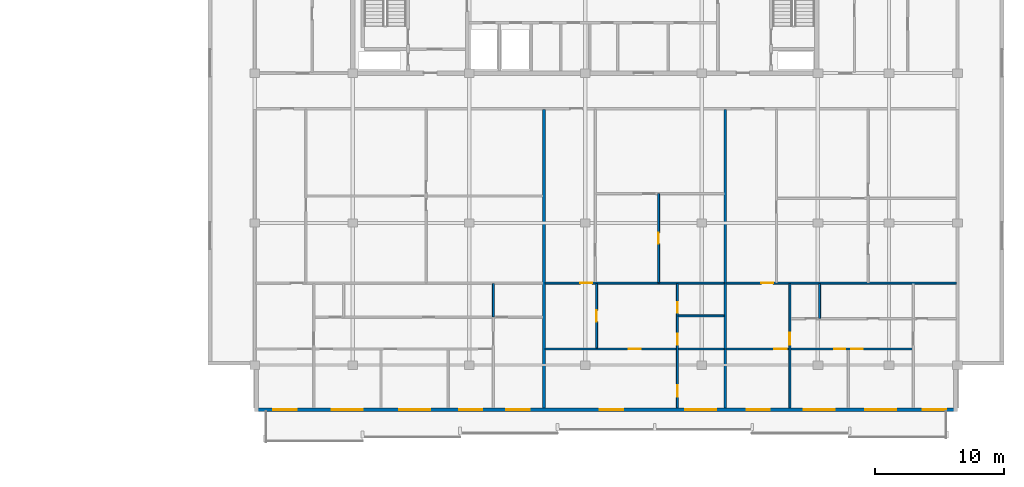
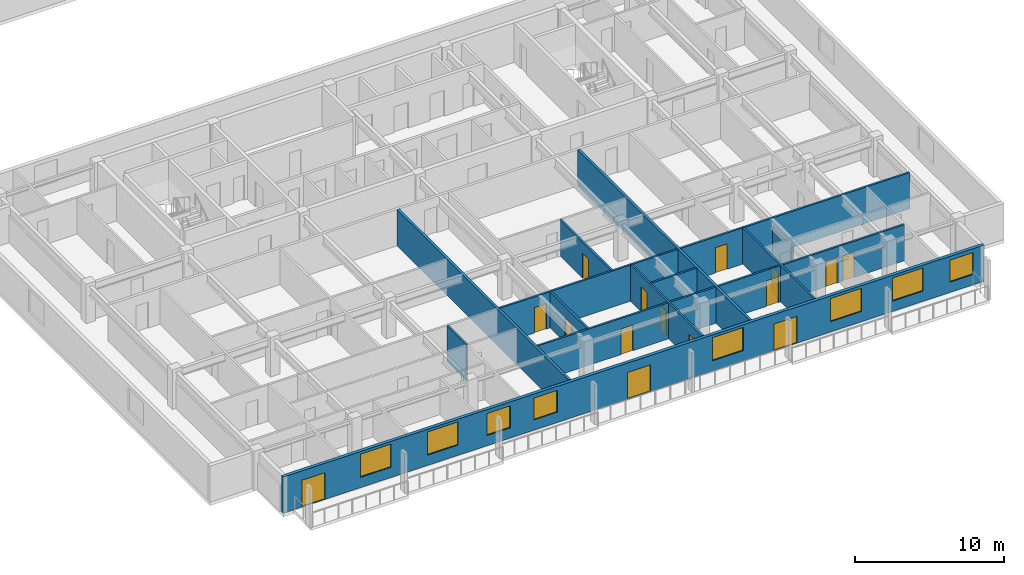
# One storey, part 5 of 22: 15 doors, 14 walls, 8 windows, 23 openings.
"""IFC4 building model written with IfcOpenShell, lengths in metres."""

from ifc_helpers import new_model, si_unit, direction, frame, frame_2d, origin, place, context, subcontext, project, spatial, rectangle, extrude, material, layer, layer_set, type_object, element, fill, save


model = new_model("IFC4")

# Units and contexts
model_context = context("Model", 3, precision=1e-05, world=origin(), true_north=direction((0.0, 1.0)))
body_context = subcontext(model_context, "Body", "Model", "MODEL_VIEW")
ifc_project = project(units=[si_unit("LENGTHUNIT", "METRE"), si_unit("AREAUNIT", "SQUARE_METRE"), si_unit("VOLUMEUNIT", "CUBIC_METRE"), si_unit("PLANEANGLEUNIT", "RADIAN"), si_unit("MASSUNIT", "GRAM", prefix="KILO")], contexts=[model_context])

# Site, building, storey
site_placement = place(None, origin())
site = spatial("IfcSite", under=ifc_project, at=site_placement, CompositionType="ELEMENT")
building_placement = place(site_placement, origin())
building = spatial("IfcBuilding", under=site, at=building_placement, Name="Korimba Cascade Residences", CompositionType="ELEMENT")
storey_placement = place(building_placement, frame((0.0, 0.0, 197.85009765625)))
storey = spatial("IfcBuildingStorey", under=building, at=storey_placement, Name="L57", CompositionType="ELEMENT", Elevation=197.85009765625)

# Wall, openings, doors, windows
ifc_material_1 = material(Name="Precast concrete C40/50", Category="concrete")
ifc_layer_1 = layer(ifc_material_1, 0.25)
ifc_layer_set_1 = layer_set([ifc_layer_1], Name="Precast concrete C40/50")
wall_type_1 = type_object("IfcWallType", Name="EW-LOG-250", PredefinedType="STANDARD", material=ifc_layer_set_1)
wall_1_placement = place(storey_placement, frame((74.5, -7.64990234375, 0.0), z_axis=(0.0, 0.0, 1.0), x_axis=(1.0, 0.0, 0.0)))
wall_1 = element("IfcWall", 1, at=wall_1_placement, inside=storey, type_object=wall_type_1, Name="L57 T2 Perimeter Stone Wall E00", PredefinedType="STANDARD", context=body_context, shape_type="SweptSolid", body=[
    extrude(rectangle(XDim=54.39990234375, YDim=0.25, at=frame_2d((27.199951171875, 0.0))), origin(), (0.0, 0.0, 1.0), 2.969970703125),
])
opening_1_placement = place(wall_1_placement, frame((5.97998046875, 0.0, 0.85009765625)))
opening_1 = element("IfcOpeningElement", 2, at=opening_1_placement, cuts=wall_1, Name="Opening W-01", PredefinedType="OPENING", context=body_context, shape_type="SweptSolid", body=[
    extrude(rectangle(XDim=2.39990234375, YDim=1.89990234375, at=frame_2d((1.199951171875, 0.949951171875))), frame((0.0, 0.135009765625, 0.0), z_axis=(0.0, -1.0, 0.0), x_axis=(1.0, 0.0, 0.0)), (0.0, 0.0, 1.0), 0.27001953125),
])
opening_2_placement = place(wall_1_placement, frame((11.179931640625, 0.0, 0.85009765625)))
opening_2 = element("IfcOpeningElement", 3, at=opening_2_placement, cuts=wall_1, Name="Opening W-01", PredefinedType="OPENING", context=body_context, shape_type="SweptSolid", body=[
    extrude(rectangle(XDim=2.39990234375, YDim=1.89990234375, at=frame_2d((1.199951171875, 0.949951171875))), frame((0.0, 0.135009765625, 0.0), z_axis=(0.0, -1.0, 0.0), x_axis=(1.0, 0.0, 0.0)), (0.0, 0.0, 1.0), 0.27001953125),
])
opening_3_placement = place(wall_1_placement, frame((15.830078125, 0.0, 0.85009765625)))
opening_3 = element("IfcOpeningElement", 4, at=opening_3_placement, cuts=wall_1, Name="Opening W-02", PredefinedType="OPENING", context=body_context, shape_type="SweptSolid", body=[
    extrude(rectangle(XDim=1.800048828125, YDim=1.800048828125, at=frame_2d((0.89990234375, 0.89990234375))), frame((0.0, 0.135009765625, 0.0), z_axis=(0.0, -1.0, 0.0), x_axis=(1.0, 0.0, 0.0)), (0.0, 0.0, 1.0), 0.27001953125),
])
opening_4_placement = place(wall_1_placement, frame((1.449951171875, 0.0, 0.0)))
opening_4 = element("IfcOpeningElement", 5, at=opening_4_placement, cuts=wall_1, Name="Opening D-LG1", PredefinedType="OPENING", context=body_context, shape_type="SweptSolid", body=[
    extrude(rectangle(XDim=1.800048828125, YDim=2.199951171875, at=frame_2d((0.89990234375, 1.10009765625))), frame((0.0, 0.135009765625, 0.0), z_axis=(0.0, -1.0, 0.0), x_axis=(1.0, 0.0, 0.0)), (0.0, 0.0, 1.0), 0.27001953125),
])
opening_5_placement = place(wall_1_placement, frame((19.4794921875, 0.0, 0.85009765625)))
opening_5 = element("IfcOpeningElement", 6, at=opening_5_placement, cuts=wall_1, Name="Opening W-02", PredefinedType="OPENING", context=body_context, shape_type="SweptSolid", body=[
    extrude(rectangle(XDim=1.800048828125, YDim=1.800048828125, at=frame_2d((0.89990234375, 0.89990234375))), frame((0.0, 0.135009765625, 0.0), z_axis=(0.0, -1.0, 0.0), x_axis=(1.0, 0.0, 0.0)), (0.0, 0.0, 1.0), 0.27001953125),
])
opening_6_placement = place(wall_1_placement, frame((26.719482421875, 0.0, 0.0)))
opening_6 = element("IfcOpeningElement", 7, at=opening_6_placement, cuts=wall_1, Name="Opening D-LG1", PredefinedType="OPENING", context=body_context, shape_type="SweptSolid", body=[
    extrude(rectangle(XDim=1.800048828125, YDim=2.199951171875, at=frame_2d((0.89990234375, 1.10009765625))), frame((0.0, 0.135009765625, 0.0), z_axis=(0.0, -1.0, 0.0), x_axis=(1.0, 0.0, 0.0)), (0.0, 0.0, 1.0), 0.27001953125),
])
opening_7_placement = place(wall_1_placement, frame((33.310791015625, 0.0, 0.85009765625)))
opening_7 = element("IfcOpeningElement", 8, at=opening_7_placement, cuts=wall_1, Name="Opening W-01", PredefinedType="OPENING", context=body_context, shape_type="SweptSolid", body=[
    extrude(rectangle(XDim=2.39990234375, YDim=1.89990234375, at=frame_2d((1.199951171875, 0.949951171875))), frame((0.0, 0.135009765625, 0.0), z_axis=(0.0, -1.0, 0.0), x_axis=(1.0, 0.0, 0.0)), (0.0, 0.0, 1.0), 0.27001953125),
])
opening_8_placement = place(wall_1_placement, frame((42.486083984375, 0.0, 0.85009765625)))
opening_8 = element("IfcOpeningElement", 9, at=opening_8_placement, cuts=wall_1, Name="Opening W-01", PredefinedType="OPENING", context=body_context, shape_type="SweptSolid", body=[
    extrude(rectangle(XDim=2.39990234375, YDim=1.89990234375, at=frame_2d((1.199951171875, 0.949951171875))), frame((0.0, 0.135009765625, 0.0), z_axis=(0.0, -1.0, 0.0), x_axis=(1.0, 0.0, 0.0)), (0.0, 0.0, 1.0), 0.27001953125),
])
opening_9_placement = place(wall_1_placement, frame((47.265380859375, 0.0, 0.85009765625)))
opening_9 = element("IfcOpeningElement", 10, at=opening_9_placement, cuts=wall_1, Name="Opening W-01", PredefinedType="OPENING", context=body_context, shape_type="SweptSolid", body=[
    extrude(rectangle(XDim=2.39990234375, YDim=1.89990234375, at=frame_2d((1.199951171875, 0.949951171875))), frame((0.0, 0.135009765625, 0.0), z_axis=(0.0, -1.0, 0.0), x_axis=(1.0, 0.0, 0.0)), (0.0, 0.0, 1.0), 0.27001953125),
])
opening_10_placement = place(wall_1_placement, frame((38.081298828125, 0.0, 0.0)))
opening_10 = element("IfcOpeningElement", 11, at=opening_10_placement, cuts=wall_1, Name="Opening D-LG1", PredefinedType="OPENING", context=body_context, shape_type="SweptSolid", body=[
    extrude(rectangle(XDim=1.800048828125, YDim=2.199951171875, at=frame_2d((0.89990234375, 1.10009765625))), frame((0.0, 0.135009765625, 0.0), z_axis=(0.0, -1.0, 0.0), x_axis=(1.0, 0.0, 0.0)), (0.0, 0.0, 1.0), 0.27001953125),
])
opening_11_placement = place(wall_1_placement, frame((51.72998046875, 0.0, 0.85009765625)))
opening_11 = element("IfcOpeningElement", 12, at=opening_11_placement, cuts=wall_1, Name="Opening W-02", PredefinedType="OPENING", context=body_context, shape_type="SweptSolid", body=[
    extrude(rectangle(XDim=1.800048828125, YDim=1.800048828125, at=frame_2d((0.89990234375, 0.89990234375))), frame((0.0, 0.135009765625, 0.0), z_axis=(0.0, -1.0, 0.0), x_axis=(1.0, 0.0, 0.0)), (0.0, 0.0, 1.0), 0.27001953125),
])
ifc_material_2 = material(Name="Glazed Aluminium Loggia Sliding Door", Category="aluminium")
door_type_1 = type_object("IfcDoorType", Name="DR-EXT-LOG", OperationType="NOTDEFINED", PredefinedType="DOOR", material=ifc_material_2)
door_1_placement = place(opening_4_placement, origin())
door_1 = element("IfcDoor", 13, at=door_1_placement, inside=storey, type_object=door_type_1, Name="L57 T2 Loggia Sliding Door 6", OperationType="SLIDING_TO_RIGHT", OverallHeight=2.199951171875, OverallWidth=1.800048828125, PredefinedType="DOOR", context=body_context, shape_type="SweptSolid", body=[
    extrude(rectangle(XDim=1.800048828125, YDim=2.199951171875, at=frame_2d((0.89990234375, 1.10009765625))), frame((0.0, 0.02490234375, 0.0), z_axis=(0.0, -1.0, 0.0), x_axis=(1.0, 0.0, 0.0)), (0.0, 0.0, 1.0), 0.050048828125),
])
fill(opening_4, door_1)
door_2_placement = place(opening_6_placement, origin())
door_2 = element("IfcDoor", 14, at=door_2_placement, inside=storey, type_object=door_type_1, Name="L57 T2 Loggia Sliding Door 8", OperationType="SLIDING_TO_RIGHT", OverallHeight=2.199951171875, OverallWidth=1.800048828125, PredefinedType="DOOR", context=body_context, shape_type="SweptSolid", body=[
    extrude(rectangle(XDim=1.800048828125, YDim=2.199951171875, at=frame_2d((0.89990234375, 1.10009765625))), frame((0.0, 0.02490234375, 0.0), z_axis=(0.0, -1.0, 0.0), x_axis=(1.0, 0.0, 0.0)), (0.0, 0.0, 1.0), 0.050048828125),
])
fill(opening_6, door_2)
door_3_placement = place(opening_10_placement, origin())
door_3 = element("IfcDoor", 15, at=door_3_placement, inside=storey, type_object=door_type_1, Name="L57 T2 Loggia Sliding Door 12", OperationType="SLIDING_TO_RIGHT", OverallHeight=2.199951171875, OverallWidth=1.800048828125, PredefinedType="DOOR", context=body_context, shape_type="SweptSolid", body=[
    extrude(rectangle(XDim=1.800048828125, YDim=2.199951171875, at=frame_2d((0.89990234375, 1.10009765625))), frame((0.0, 0.02490234375, 0.0), z_axis=(0.0, -1.0, 0.0), x_axis=(1.0, 0.0, 0.0)), (0.0, 0.0, 1.0), 0.050048828125),
])
fill(opening_10, door_3)
ifc_material_3 = material(Name="Double-Glazed Aluminium Window", Category="aluminium")
window_type_1 = type_object("IfcWindowType", Name="WIN-BED-1800", PartitioningType="SINGLE_PANEL", PredefinedType="WINDOW", material=ifc_material_3)
window_1_placement = place(opening_3_placement, origin())
window_1 = element("IfcWindow", 16, at=window_1_placement, inside=storey, type_object=window_type_1, Name="L57 T2 South Facade Window 5", OverallHeight=1.800048828125, OverallWidth=1.800048828125, PartitioningType="SINGLE_PANEL", PredefinedType="WINDOW", context=body_context, shape_type="SweptSolid", body=[
    extrude(rectangle(XDim=1.800048828125, YDim=1.800048828125, at=frame_2d((0.89990234375, 0.89990234375))), frame((0.0, 0.030029296875, 0.0), z_axis=(0.0, -1.0, 0.0), x_axis=(1.0, 0.0, 0.0)), (0.0, 0.0, 1.0), 0.06005859375),
])
fill(opening_3, window_1)
window_2_placement = place(opening_5_placement, origin())
window_2 = element("IfcWindow", 17, at=window_2_placement, inside=storey, type_object=window_type_1, Name="L57 T2 South Facade Window 7", OverallHeight=1.800048828125, OverallWidth=1.800048828125, PartitioningType="SINGLE_PANEL", PredefinedType="WINDOW", context=body_context, shape_type="SweptSolid", body=[
    extrude(rectangle(XDim=1.800048828125, YDim=1.800048828125, at=frame_2d((0.89990234375, 0.89990234375))), frame((0.0, 0.030029296875, 0.0), z_axis=(0.0, -1.0, 0.0), x_axis=(1.0, 0.0, 0.0)), (0.0, 0.0, 1.0), 0.06005859375),
])
fill(opening_5, window_2)
window_3_placement = place(opening_11_placement, origin())
window_3 = element("IfcWindow", 18, at=window_3_placement, inside=storey, type_object=window_type_1, Name="L57 T2 South Facade Window 13", OverallHeight=1.800048828125, OverallWidth=1.800048828125, PartitioningType="SINGLE_PANEL", PredefinedType="WINDOW", context=body_context, shape_type="SweptSolid", body=[
    extrude(rectangle(XDim=1.800048828125, YDim=1.800048828125, at=frame_2d((0.89990234375, 0.89990234375))), frame((0.0, 0.030029296875, 0.0), z_axis=(0.0, -1.0, 0.0), x_axis=(1.0, 0.0, 0.0)), (0.0, 0.0, 1.0), 0.06005859375),
])
fill(opening_11, window_3)
window_type_2 = type_object("IfcWindowType", Name="WIN-RES-2400", PartitioningType="DOUBLE_PANEL_VERTICAL", PredefinedType="WINDOW", material=ifc_material_3)
window_4_placement = place(opening_1_placement, origin())
window_4 = element("IfcWindow", 19, at=window_4_placement, inside=storey, type_object=window_type_2, Name="L57 T2 South Facade Window 3", OverallHeight=1.89990234375, OverallWidth=2.39990234375, PartitioningType="DOUBLE_PANEL_VERTICAL", PredefinedType="WINDOW", context=body_context, shape_type="SweptSolid", body=[
    extrude(rectangle(XDim=2.39990234375, YDim=1.89990234375, at=frame_2d((1.199951171875, 0.949951171875))), frame((0.0, 0.030029296875, 0.0), z_axis=(0.0, -1.0, 0.0), x_axis=(1.0, 0.0, 0.0)), (0.0, 0.0, 1.0), 0.06005859375),
])
fill(opening_1, window_4)
window_5_placement = place(opening_2_placement, origin())
window_5 = element("IfcWindow", 20, at=window_5_placement, inside=storey, type_object=window_type_2, Name="L57 T2 South Facade Window 4", OverallHeight=1.89990234375, OverallWidth=2.39990234375, PartitioningType="DOUBLE_PANEL_VERTICAL", PredefinedType="WINDOW", context=body_context, shape_type="SweptSolid", body=[
    extrude(rectangle(XDim=2.39990234375, YDim=1.89990234375, at=frame_2d((1.199951171875, 0.949951171875))), frame((0.0, 0.030029296875, 0.0), z_axis=(0.0, -1.0, 0.0), x_axis=(1.0, 0.0, 0.0)), (0.0, 0.0, 1.0), 0.06005859375),
])
fill(opening_2, window_5)
window_6_placement = place(opening_7_placement, origin())
window_6 = element("IfcWindow", 21, at=window_6_placement, inside=storey, type_object=window_type_2, Name="L57 T2 South Facade Window 9", OverallHeight=1.89990234375, OverallWidth=2.39990234375, PartitioningType="DOUBLE_PANEL_VERTICAL", PredefinedType="WINDOW", context=body_context, shape_type="SweptSolid", body=[
    extrude(rectangle(XDim=2.39990234375, YDim=1.89990234375, at=frame_2d((1.199951171875, 0.949951171875))), frame((0.0, 0.030029296875, 0.0), z_axis=(0.0, -1.0, 0.0), x_axis=(1.0, 0.0, 0.0)), (0.0, 0.0, 1.0), 0.06005859375),
])
fill(opening_7, window_6)
window_7_placement = place(opening_8_placement, origin())
window_7 = element("IfcWindow", 22, at=window_7_placement, inside=storey, type_object=window_type_2, Name="L57 T2 South Facade Window 10", OverallHeight=1.89990234375, OverallWidth=2.39990234375, PartitioningType="DOUBLE_PANEL_VERTICAL", PredefinedType="WINDOW", context=body_context, shape_type="SweptSolid", body=[
    extrude(rectangle(XDim=2.39990234375, YDim=1.89990234375, at=frame_2d((1.199951171875, 0.949951171875))), frame((0.0, 0.030029296875, 0.0), z_axis=(0.0, -1.0, 0.0), x_axis=(1.0, 0.0, 0.0)), (0.0, 0.0, 1.0), 0.06005859375),
])
fill(opening_8, window_7)
window_8_placement = place(opening_9_placement, origin())
window_8 = element("IfcWindow", 23, at=window_8_placement, inside=storey, type_object=window_type_2, Name="L57 T2 South Facade Window 11", OverallHeight=1.89990234375, OverallWidth=2.39990234375, PartitioningType="DOUBLE_PANEL_VERTICAL", PredefinedType="WINDOW", context=body_context, shape_type="SweptSolid", body=[
    extrude(rectangle(XDim=2.39990234375, YDim=1.89990234375, at=frame_2d((1.199951171875, 0.949951171875))), frame((0.0, 0.030029296875, 0.0), z_axis=(0.0, -1.0, 0.0), x_axis=(1.0, 0.0, 0.0)), (0.0, 0.0, 1.0), 0.06005859375),
])
fill(opening_9, window_8)

# Walls
ifc_layer_2 = layer(ifc_material_1, 0.199951171875)
ifc_layer_set_2 = layer_set([ifc_layer_2], Name="Precast concrete C40/50")
wall_type_2 = type_object("IfcWallType", Name="WAL-IT-200", PredefinedType="PARTITIONING", material=ifc_layer_set_2)
for number, where, z_axis, x_axis, name in (
    (24, (96.899169921875, -7.5, 0.0), (0.0, 0.0, 1.0), (0.0, 1.0, 0.0), "L57 Partition Wall WAL-L57-T2-DEM-1"),
    (25, (110.92138671875, -7.5, 0.0), (0.0, 0.0, 1.0), (0.0, 1.0, 0.0), "L57 Partition Wall WAL-L57-T2-DEM-2"),
):
    element("IfcWall", number, at=place(storey_placement, frame(where, z_axis=z_axis, x_axis=x_axis)), inside=storey, type_object=wall_type_2, Name=name, PredefinedType="PARTITIONING", context=body_context, shape_type="SweptSolid", body=[
        extrude(rectangle(XDim=23.070068359375, YDim=0.199951171875, at=frame_2d((11.53515625, 0.0))), origin(), (0.0, 0.0, 1.0), 2.969970703125),
    ])
ifc_material_4 = material(Name="Insulated Acoustic Stud Partition", Category="gypsum")
ifc_layer_3 = layer(ifc_material_4, 0.14990234375)
ifc_layer_set_3 = layer_set([ifc_layer_3], Name="Insulated Acoustic Stud Partition")
wall_type_3 = type_object("IfcWallType", Name="WAL-PART-150", PredefinedType="PARTITIONING", material=ifc_layer_set_3)
wall_2_placement = place(storey_placement, frame((92.97998046875, -0.469970703125, 0.0), z_axis=(0.0, 0.0, 1.0), x_axis=(0.0, 1.0, 0.0)))
element("IfcWall", 26, at=wall_2_placement, inside=storey, type_object=wall_type_3, Name="L57 Partition Wall WAL-L57-T2-U01-VBATH", PredefinedType="PARTITIONING", context=body_context, shape_type="SweptSolid", body=[
    extrude(rectangle(XDim=2.580078125, YDim=0.14990234375, at=frame_2d((1.2900390625, 0.0))), origin(), (0.0, 0.0, 1.0), 2.969970703125),
])

# Wall, opening, door
wall_3_placement = place(storey_placement, frame((105.76513671875, 2.18994140625, 0.0), z_axis=(0.0, 0.0, 1.0), x_axis=(0.0, 1.0, 0.0)))
wall_3 = element("IfcWall", 27, at=wall_3_placement, inside=storey, type_object=wall_type_3, Name="L57 Partition Wall WAL-L57-T2-U02-FMV", PredefinedType="PARTITIONING", context=body_context, shape_type="SweptSolid", body=[
    extrude(rectangle(XDim=6.880126953125, YDim=0.14990234375, at=frame_2d((3.43994140625, 0.0))), origin(), (0.0, 0.0, 1.0), 2.969970703125),
])
opening_12_placement = place(wall_3_placement, frame((3.02001953125, 0.0, 0.0)))
opening_12 = element("IfcOpeningElement", 28, at=opening_12_placement, cuts=wall_3, Name="Opening D-BT1", PredefinedType="OPENING", context=body_context, shape_type="SweptSolid", body=[
    extrude(rectangle(XDim=0.840087890625, YDim=2.0400390625, at=frame_2d((0.419921875, 1.02001953125))), frame((0.0, 0.0849609375, 0.0), z_axis=(0.0, -1.0, 0.0), x_axis=(1.0, 0.0, 0.0)), (0.0, 0.0, 1.0), 0.169921875),
])
ifc_material_5 = material(Name="Moisture-Resistant Bathroom Timber Door", Category="wood")
door_type_2 = type_object("IfcDoorType", Name="DR-INT-850", OperationType="NOTDEFINED", PredefinedType="DOOR", material=ifc_material_5)
door_4_placement = place(opening_12_placement, origin())
door_4 = element("IfcDoor", 29, at=door_4_placement, inside=storey, type_object=door_type_2, Name="L57-T2-U02 Wardrobe Door", OperationType="SINGLE_SWING_RIGHT", OverallHeight=2.0400390625, OverallWidth=0.840087890625, PredefinedType="DOOR", context=body_context, shape_type="SweptSolid", body=[
    extrude(rectangle(XDim=0.840087890625, YDim=2.0400390625, at=frame_2d((0.419921875, 1.02001953125))), frame((0.0, 0.02490234375, 0.0), z_axis=(0.0, -1.0, 0.0), x_axis=(1.0, 0.0, 0.0)), (0.0, 0.0, 1.0), 0.050048828125),
])
fill(opening_12, door_4)

wall_4_placement = place(storey_placement, frame((100.968994140625, -2.889892578125, 0.0), z_axis=(0.0, 0.0, 1.0), x_axis=(0.0, 1.0, 0.0)))
wall_4 = element("IfcWall", 30, at=wall_4_placement, inside=storey, type_object=wall_type_3, Name="L57 Partition Wall WAL-L57-T2-U02-VDIN", PredefinedType="PARTITIONING", context=body_context, shape_type="SweptSolid", body=[
    extrude(rectangle(XDim=5.0, YDim=0.14990234375, at=frame_2d((2.5, 0.0))), origin(), (0.0, 0.0, 1.0), 2.969970703125),
])
opening_13_placement = place(wall_4_placement, frame((2.06005859375, 0.0, 0.0)))
opening_13 = element("IfcOpeningElement", 31, at=opening_13_placement, cuts=wall_4, Name="Opening D-IN2", PredefinedType="OPENING", context=body_context, shape_type="SweptSolid", body=[
    extrude(rectangle(XDim=0.8798828125, YDim=2.06005859375, at=frame_2d((0.43994140625, 1.030029296875))), frame((0.0, 0.0849609375, 0.0), z_axis=(0.0, -1.0, 0.0), x_axis=(1.0, 0.0, 0.0)), (0.0, 0.0, 1.0), 0.169921875),
])
ifc_material_6 = material(Name="Acoustic Timber Bedroom Door", Category="wood")
door_type_3 = type_object("IfcDoorType", Name="DR-INT-880", OperationType="NOTDEFINED", PredefinedType="DOOR", material=ifc_material_6)
door_5_placement = place(opening_13_placement, origin())
door_5 = element("IfcDoor", 32, at=door_5_placement, inside=storey, type_object=door_type_3, Name="L57-T2-U02 Dining Room Door", OperationType="SINGLE_SWING_LEFT", OverallHeight=2.06005859375, OverallWidth=0.8798828125, PredefinedType="DOOR", context=body_context, shape_type="SweptSolid", body=[
    extrude(rectangle(XDim=0.8798828125, YDim=2.06005859375, at=frame_2d((0.43994140625, 1.030029296875))), frame((0.0, 0.02490234375, 0.0), z_axis=(0.0, -1.0, 0.0), x_axis=(1.0, 0.0, 0.0)), (0.0, 0.0, 1.0), 0.050048828125),
])
fill(opening_13, door_5)

# Wall
wall_5_placement = place(storey_placement, frame((107.280029296875, -0.389892578125, 0.0), z_axis=(0.0, 0.0, 1.0), x_axis=(1.0, 0.0, 0.0)))
element("IfcWall", 33, at=wall_5_placement, inside=storey, type_object=wall_type_3, Name="L57 Partition Wall WAL-L57-T2-U02-BLDIV", PredefinedType="PARTITIONING", context=body_context, shape_type="SweptSolid", body=[
    extrude(rectangle(XDim=3.561279296875, YDim=0.14990234375, at=frame_2d((1.78076171875, 0.0))), origin(), (0.0, 0.0, 1.0), 2.969970703125),
])

# Wall, openings, doors
wall_6_placement = place(storey_placement, frame((107.219970703125, -7.5, 0.0), z_axis=(0.0, 0.0, 1.0), x_axis=(0.0, 1.0, 0.0)))
wall_6 = element("IfcWall", 34, at=wall_6_placement, inside=storey, type_object=wall_type_3, Name="L57 Partition Wall WAL-L57-T2-U02-V1", PredefinedType="PARTITIONING", context=body_context, shape_type="SweptSolid", body=[
    extrude(rectangle(XDim=9.610107421875, YDim=0.14990234375, at=frame_2d((4.80517578125, 0.0))), origin(), (0.0, 0.0, 1.0), 2.969970703125),
])
opening_14_placement = place(wall_6_placement, frame((4.874755859375, 0.0, 0.0)))
opening_14 = element("IfcOpeningElement", 35, at=opening_14_placement, cuts=wall_6, Name="Opening D-BT1", PredefinedType="OPENING", context=body_context, shape_type="SweptSolid", body=[
    extrude(rectangle(XDim=0.840087890625, YDim=2.0400390625, at=frame_2d((0.419921875, 1.02001953125))), frame((0.0, 0.0849609375, 0.0), z_axis=(0.0, -1.0, 0.0), x_axis=(1.0, 0.0, 0.0)), (0.0, 0.0, 1.0), 0.169921875),
])
opening_15_placement = place(wall_6_placement, frame((7.339599609375, 0.0, 0.0)))
opening_15 = element("IfcOpeningElement", 36, at=opening_15_placement, cuts=wall_6, Name="Opening D-BT1", PredefinedType="OPENING", context=body_context, shape_type="SweptSolid", body=[
    extrude(rectangle(XDim=0.840087890625, YDim=2.0400390625, at=frame_2d((0.419921875, 1.02001953125))), frame((0.0, 0.0849609375, 0.0), z_axis=(0.0, -1.0, 0.0), x_axis=(1.0, 0.0, 0.0)), (0.0, 0.0, 1.0), 0.169921875),
])
opening_16_placement = place(wall_6_placement, frame((0.859130859375, 0.0, 0.0)))
opening_16 = element("IfcOpeningElement", 37, at=opening_16_placement, cuts=wall_6, Name="Opening D-IN2", PredefinedType="OPENING", context=body_context, shape_type="SweptSolid", body=[
    extrude(rectangle(XDim=0.8798828125, YDim=2.06005859375, at=frame_2d((0.43994140625, 1.030029296875))), frame((0.0, 0.0849609375, 0.0), z_axis=(0.0, -1.0, 0.0), x_axis=(1.0, 0.0, 0.0)), (0.0, 0.0, 1.0), 0.169921875),
])
door_6_placement = place(opening_14_placement, origin())
door_6 = element("IfcDoor", 38, at=door_6_placement, inside=storey, type_object=door_type_2, Name="L57-T2-U02 Bathroom Door", OperationType="SINGLE_SWING_RIGHT", OverallHeight=2.0400390625, OverallWidth=0.840087890625, PredefinedType="DOOR", context=body_context, shape_type="SweptSolid", body=[
    extrude(rectangle(XDim=0.840087890625, YDim=2.0400390625, at=frame_2d((0.419921875, 1.02001953125))), frame((0.0, 0.02490234375, 0.0), z_axis=(0.0, -1.0, 0.0), x_axis=(1.0, 0.0, 0.0)), (0.0, 0.0, 1.0), 0.050048828125),
])
fill(opening_14, door_6)
door_7_placement = place(opening_15_placement, origin())
door_7 = element("IfcDoor", 39, at=door_7_placement, inside=storey, type_object=door_type_2, Name="L57-T2-U02 Laundry Door", OperationType="SINGLE_SWING_LEFT", OverallHeight=2.0400390625, OverallWidth=0.840087890625, PredefinedType="DOOR", context=body_context, shape_type="SweptSolid", body=[
    extrude(rectangle(XDim=0.840087890625, YDim=2.0400390625, at=frame_2d((0.419921875, 1.02001953125))), frame((0.0, 0.02490234375, 0.0), z_axis=(0.0, -1.0, 0.0), x_axis=(1.0, 0.0, 0.0)), (0.0, 0.0, 1.0), 0.050048828125),
])
fill(opening_15, door_7)
door_8_placement = place(opening_16_placement, origin())
door_8 = element("IfcDoor", 40, at=door_8_placement, inside=storey, type_object=door_type_3, Name="L57-T2-U02 Bedroom 1 Door", OperationType="SINGLE_SWING_RIGHT", OverallHeight=2.06005859375, OverallWidth=0.8798828125, PredefinedType="DOOR", context=body_context, shape_type="SweptSolid", body=[
    extrude(rectangle(XDim=0.8798828125, YDim=2.06005859375, at=frame_2d((0.43994140625, 1.030029296875))), frame((0.0, 0.02490234375, 0.0), z_axis=(0.0, -1.0, 0.0), x_axis=(1.0, 0.0, 0.0)), (0.0, 0.0, 1.0), 0.050048828125),
])
fill(opening_16, door_8)

# Wall, opening, door
wall_7_placement = place(storey_placement, frame((96.97900390625, 2.14990234375, 0.0), z_axis=(0.0, 0.0, 1.0), x_axis=(1.0, 0.0, 0.0)))
wall_7 = element("IfcWall", 41, at=wall_7_placement, inside=storey, type_object=wall_type_3, Name="L57 Partition Wall WAL-L57-T2-U02-MW", PredefinedType="PARTITIONING", context=body_context, shape_type="SweptSolid", body=[
    extrude(rectangle(XDim=13.8623046875, YDim=0.14990234375, at=frame_2d((6.93115234375, 0.0))), origin(), (0.0, 0.0, 1.0), 2.969970703125),
])
opening_17_placement = place(wall_7_placement, frame((2.719970703125, 0.0, 0.0)))
opening_17 = element("IfcOpeningElement", 42, at=opening_17_placement, cuts=wall_7, Name="Opening D-IN1", PredefinedType="OPENING", context=body_context, shape_type="SweptSolid", body=[
    extrude(rectangle(XDim=0.919921875, YDim=2.080078125, at=frame_2d((0.4599609375, 1.0400390625))), frame((0.0, 0.0849609375, 0.0), z_axis=(0.0, -1.0, 0.0), x_axis=(1.0, 0.0, 0.0)), (0.0, 0.0, 1.0), 0.169921875),
])
ifc_material_7 = material(Name="Acoustic Timber Living Door", Category="wood")
door_type_4 = type_object("IfcDoorType", Name="DR-INT-920", OperationType="NOTDEFINED", PredefinedType="DOOR", material=ifc_material_7)
door_9_placement = place(opening_17_placement, origin())
door_9 = element("IfcDoor", 43, at=door_9_placement, inside=storey, type_object=door_type_4, Name="L57-T2-U02 Kitchen Archway Door", OperationType="SINGLE_SWING_LEFT", OverallHeight=2.080078125, OverallWidth=0.919921875, PredefinedType="DOOR", context=body_context, shape_type="SweptSolid", body=[
    extrude(rectangle(XDim=0.919921875, YDim=2.080078125, at=frame_2d((0.4599609375, 1.0400390625))), frame((0.0, 0.02490234375, 0.0), z_axis=(0.0, -1.0, 0.0), x_axis=(1.0, 0.0, 0.0)), (0.0, 0.0, 1.0), 0.050048828125),
])
fill(opening_17, door_9)

wall_8_placement = place(storey_placement, frame((96.97900390625, -2.949951171875, 0.0), z_axis=(0.0, 0.0, 1.0), x_axis=(1.0, 0.0, 0.0)))
wall_8 = element("IfcWall", 44, at=wall_8_placement, inside=storey, type_object=wall_type_3, Name="L57 Partition Wall WAL-L57-T2-U02-HZ", PredefinedType="PARTITIONING", context=body_context, shape_type="SweptSolid", body=[
    extrude(rectangle(XDim=13.8623046875, YDim=0.14990234375, at=frame_2d((6.93115234375, 0.0))), origin(), (0.0, 0.0, 1.0), 2.969970703125),
])
opening_18_placement = place(wall_8_placement, frame((6.461181640625, 0.0, 0.0)))
opening_18 = element("IfcOpeningElement", 45, at=opening_18_placement, cuts=wall_8, Name="Opening D-IN0", PredefinedType="OPENING", context=body_context, shape_type="SweptSolid", body=[
    extrude(rectangle(XDim=0.93994140625, YDim=2.10009765625, at=frame_2d((0.469970703125, 1.050048828125))), frame((0.0, 0.0849609375, 0.0), z_axis=(0.0, -1.0, 0.0), x_axis=(1.0, 0.0, 0.0)), (0.0, 0.0, 1.0), 0.169921875),
])
ifc_material_8 = material(Name="Acoustic Timber Living Archway Door", Category="wood")
door_type_5 = type_object("IfcDoorType", Name="DR-INT-950", OperationType="NOTDEFINED", PredefinedType="DOOR", material=ifc_material_8)
door_10_placement = place(opening_18_placement, origin())
door_10 = element("IfcDoor", 46, at=door_10_placement, inside=storey, type_object=door_type_5, Name="L57-T2-U02 Living Archway Door", OperationType="SINGLE_SWING_RIGHT", OverallHeight=2.10009765625, OverallWidth=0.93994140625, PredefinedType="DOOR", context=body_context, shape_type="SweptSolid", body=[
    extrude(rectangle(XDim=0.93994140625, YDim=2.10009765625, at=frame_2d((0.469970703125, 1.050048828125))), frame((0.0, 0.02490234375, 0.0), z_axis=(0.0, -1.0, 0.0), x_axis=(1.0, 0.0, 0.0)), (0.0, 0.0, 1.0), 0.050048828125),
])
fill(opening_18, door_10)

# Wall
wall_9_placement = place(storey_placement, frame((118.2314453125, -0.580078125, 0.0), z_axis=(0.0, 0.0, 1.0), x_axis=(0.0, 1.0, 0.0)))
element("IfcWall", 47, at=wall_9_placement, inside=storey, type_object=wall_type_3, Name="L57 Partition Wall WAL-L57-T2-U03-VDRS", PredefinedType="PARTITIONING", context=body_context, shape_type="SweptSolid", body=[
    extrude(rectangle(XDim=2.690185546875, YDim=0.14990234375, at=frame_2d((1.34521484375, 0.0))), origin(), (0.0, 0.0, 1.0), 2.2001953125),
])

# Wall, opening, door
wall_10_placement = place(storey_placement, frame((115.92138671875, -7.5, 0.0), z_axis=(0.0, 0.0, 1.0), x_axis=(0.0, 1.0, 0.0)))
wall_10 = element("IfcWall", 48, at=wall_10_placement, inside=storey, type_object=wall_type_3, Name="L57 Partition Wall WAL-L57-T2-U03-V1", PredefinedType="PARTITIONING", context=body_context, shape_type="SweptSolid", body=[
    extrude(rectangle(XDim=9.610107421875, YDim=0.14990234375, at=frame_2d((4.80517578125, 0.0))), origin(), (0.0, 0.0, 1.0), 2.969970703125),
])
opening_19_placement = place(wall_10_placement, frame((4.8701171875, 0.0, 0.0)))
opening_19 = element("IfcOpeningElement", 49, at=opening_19_placement, cuts=wall_10, Name="Opening D-IN1", PredefinedType="OPENING", context=body_context, shape_type="SweptSolid", body=[
    extrude(rectangle(XDim=0.919921875, YDim=2.080078125, at=frame_2d((0.4599609375, 1.0400390625))), frame((0.0, 0.0849609375, 0.0), z_axis=(0.0, -1.0, 0.0), x_axis=(1.0, 0.0, 0.0)), (0.0, 0.0, 1.0), 0.169921875),
])
door_11_placement = place(opening_19_placement, origin())
door_11 = element("IfcDoor", 50, at=door_11_placement, inside=storey, type_object=door_type_4, Name="L57-T2-U03 Hallway Door", OperationType="SINGLE_SWING_LEFT", OverallHeight=2.080078125, OverallWidth=0.919921875, PredefinedType="DOOR", context=body_context, shape_type="SweptSolid", body=[
    extrude(rectangle(XDim=0.919921875, YDim=2.080078125, at=frame_2d((0.4599609375, 1.0400390625))), frame((0.0, 0.02490234375, 0.0), z_axis=(0.0, -1.0, 0.0), x_axis=(1.0, 0.0, 0.0)), (0.0, 0.0, 1.0), 0.050048828125),
])
fill(opening_19, door_11)

wall_11_placement = place(storey_placement, frame((111.00146484375, 2.14990234375, 0.0), z_axis=(0.0, 0.0, 1.0), x_axis=(1.0, 0.0, 0.0)))
wall_11 = element("IfcWall", 51, at=wall_11_placement, inside=storey, type_object=wall_type_3, Name="L57 Partition Wall WAL-L57-T2-U03-MW", PredefinedType="PARTITIONING", context=body_context, shape_type="SweptSolid", body=[
    extrude(rectangle(XDim=17.818603515625, YDim=0.14990234375, at=frame_2d((8.9091796875, 0.0))), origin(), (0.0, 0.0, 1.0), 2.969970703125),
])
opening_20_placement = place(wall_11_placement, frame((2.719970703125, 0.0, 0.0)))
opening_20 = element("IfcOpeningElement", 52, at=opening_20_placement, cuts=wall_11, Name="Opening D-IN1", PredefinedType="OPENING", context=body_context, shape_type="SweptSolid", body=[
    extrude(rectangle(XDim=0.919921875, YDim=2.080078125, at=frame_2d((0.4599609375, 1.0400390625))), frame((0.0, 0.0849609375, 0.0), z_axis=(0.0, -1.0, 0.0), x_axis=(1.0, 0.0, 0.0)), (0.0, 0.0, 1.0), 0.169921875),
])
door_12_placement = place(opening_20_placement, origin())
door_12 = element("IfcDoor", 53, at=door_12_placement, inside=storey, type_object=door_type_4, Name="L57-T2-U03 Kitchen Door", OperationType="SINGLE_SWING_RIGHT", OverallHeight=2.080078125, OverallWidth=0.919921875, PredefinedType="DOOR", context=body_context, shape_type="SweptSolid", body=[
    extrude(rectangle(XDim=0.919921875, YDim=2.080078125, at=frame_2d((0.4599609375, 1.0400390625))), frame((0.0, 0.02490234375, 0.0), z_axis=(0.0, -1.0, 0.0), x_axis=(1.0, 0.0, 0.0)), (0.0, 0.0, 1.0), 0.050048828125),
])
fill(opening_20, door_12)

# Wall, openings, doors
wall_12_placement = place(storey_placement, frame((111.00146484375, -2.949951171875, 0.0), z_axis=(0.0, 0.0, 1.0), x_axis=(1.0, 0.0, 0.0)))
wall_12 = element("IfcWall", 54, at=wall_12_placement, inside=storey, type_object=wall_type_3, Name="L57 Partition Wall WAL-L57-T2-U03-HZ", PredefinedType="PARTITIONING", context=body_context, shape_type="SweptSolid", body=[
    extrude(rectangle(XDim=14.478515625, YDim=0.14990234375, at=frame_2d((7.2392578125, 0.0))), origin(), (0.0, 0.0, 1.0), 2.969970703125),
])
opening_21_placement = place(wall_12_placement, frame((3.72998046875, 0.0, 0.0)))
opening_21 = element("IfcOpeningElement", 55, at=opening_21_placement, cuts=wall_12, Name="Opening D-IN0", PredefinedType="OPENING", context=body_context, shape_type="SweptSolid", body=[
    extrude(rectangle(XDim=0.93994140625, YDim=2.10009765625, at=frame_2d((0.469970703125, 1.050048828125))), frame((0.0, 0.0849609375, 0.0), z_axis=(0.0, -1.0, 0.0), x_axis=(1.0, 0.0, 0.0)), (0.0, 0.0, 1.0), 0.169921875),
])
opening_22_placement = place(wall_12_placement, frame((8.349365234375, 0.0, 0.0)))
opening_22 = element("IfcOpeningElement", 56, at=opening_22_placement, cuts=wall_12, Name="Opening D-IN2", PredefinedType="OPENING", context=body_context, shape_type="SweptSolid", body=[
    extrude(rectangle(XDim=0.8798828125, YDim=2.06005859375, at=frame_2d((0.43994140625, 1.030029296875))), frame((0.0, 0.0849609375, 0.0), z_axis=(0.0, -1.0, 0.0), x_axis=(1.0, 0.0, 0.0)), (0.0, 0.0, 1.0), 0.169921875),
])
opening_23_placement = place(wall_12_placement, frame((9.669189453125, 0.0, 0.0)))
opening_23 = element("IfcOpeningElement", 57, at=opening_23_placement, cuts=wall_12, Name="Opening D-IN2", PredefinedType="OPENING", context=body_context, shape_type="SweptSolid", body=[
    extrude(rectangle(XDim=0.8798828125, YDim=2.06005859375, at=frame_2d((0.43994140625, 1.030029296875))), frame((0.0, 0.0849609375, 0.0), z_axis=(0.0, -1.0, 0.0), x_axis=(1.0, 0.0, 0.0)), (0.0, 0.0, 1.0), 0.169921875),
])
door_13_placement = place(opening_22_placement, origin())
door_13 = element("IfcDoor", 58, at=door_13_placement, inside=storey, type_object=door_type_3, Name="L57-T2-U03 Bedroom 2 Door", OperationType="SINGLE_SWING_RIGHT", OverallHeight=2.06005859375, OverallWidth=0.8798828125, PredefinedType="DOOR", context=body_context, shape_type="SweptSolid", body=[
    extrude(rectangle(XDim=0.8798828125, YDim=2.06005859375, at=frame_2d((0.43994140625, 1.030029296875))), frame((0.0, 0.02490234375, 0.0), z_axis=(0.0, -1.0, 0.0), x_axis=(1.0, 0.0, 0.0)), (0.0, 0.0, 1.0), 0.050048828125),
])
fill(opening_22, door_13)
door_14_placement = place(opening_23_placement, origin())
door_14 = element("IfcDoor", 59, at=door_14_placement, inside=storey, type_object=door_type_3, Name="L57-T2-U03 Study Door", OperationType="SINGLE_SWING_LEFT", OverallHeight=2.06005859375, OverallWidth=0.8798828125, PredefinedType="DOOR", context=body_context, shape_type="SweptSolid", body=[
    extrude(rectangle(XDim=0.8798828125, YDim=2.06005859375, at=frame_2d((0.43994140625, 1.030029296875))), frame((0.0, 0.02490234375, 0.0), z_axis=(0.0, -1.0, 0.0), x_axis=(1.0, 0.0, 0.0)), (0.0, 0.0, 1.0), 0.050048828125),
])
fill(opening_23, door_14)
door_15_placement = place(opening_21_placement, origin())
door_15 = element("IfcDoor", 60, at=door_15_placement, inside=storey, type_object=door_type_5, Name="L57-T2-U03 Living Room Door", OperationType="SINGLE_SWING_LEFT", OverallHeight=2.10009765625, OverallWidth=0.93994140625, PredefinedType="DOOR", context=body_context, shape_type="SweptSolid", body=[
    extrude(rectangle(XDim=0.93994140625, YDim=2.10009765625, at=frame_2d((0.469970703125, 1.050048828125))), frame((0.0, 0.02490234375, 0.0), z_axis=(0.0, -1.0, 0.0), x_axis=(1.0, 0.0, 0.0)), (0.0, 0.0, 1.0), 0.050048828125),
])
fill(opening_21, door_15)

save(model, "model.ifc")
